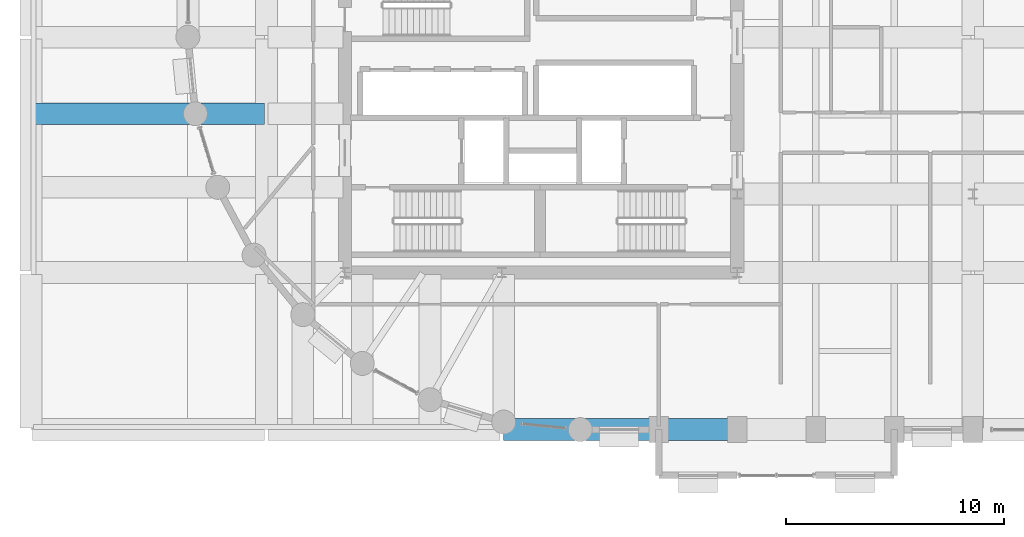
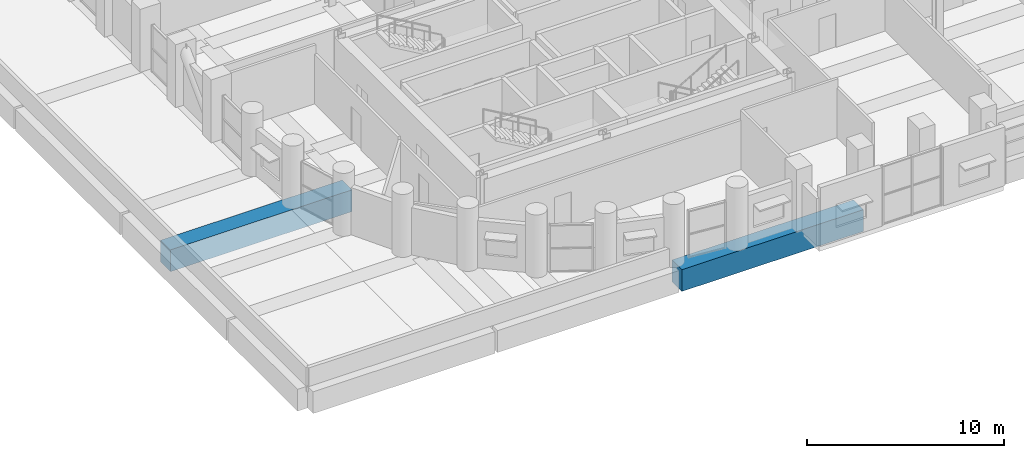
# One storey, part 6 of 39: 2 beams.
"""IFC4 building model written with IfcOpenShell, lengths in metres."""

from ifc_helpers import new_model, si_unit, direction, frame, origin, origin_2d, place, context, subcontext, project, spatial, rectangle, extrude, material, material_profile, profile_set, type_object, element, save


model = new_model("IFC4")

# Units and contexts
model_context = context("Model", 3, precision=1e-05, world=origin(), true_north=direction((0.0, 1.0)))
body_context = subcontext(model_context, "Body", "Model", "MODEL_VIEW")
ifc_project = project(units=[si_unit("LENGTHUNIT", "METRE"), si_unit("AREAUNIT", "SQUARE_METRE"), si_unit("VOLUMEUNIT", "CUBIC_METRE"), si_unit("PLANEANGLEUNIT", "RADIAN"), si_unit("MASSUNIT", "GRAM", prefix="KILO")], contexts=[model_context])

# Site, building, storey
site_placement = place(None, origin())
site = spatial("IfcSite", under=ifc_project, at=site_placement, CompositionType="ELEMENT")
building_placement = place(site_placement, origin())
building = spatial("IfcBuilding", under=site, at=building_placement, Name="Solnavia Interchange Tower", CompositionType="ELEMENT")
storey_placement = place(building_placement, frame((0.0, 0.0, 24.0)))
storey = spatial("IfcBuildingStorey", under=building, at=storey_placement, Name="L05", CompositionType="ELEMENT", Elevation=24.0)

# Beams
ifc_material = material(Name="Concrete C60/75", Category="concrete")
ifc_material_profile = material_profile(ifc_material, rectangle(XDim=1.0, YDim=1.35009765625, at=origin_2d()), Name="RC 1000x1350")
ifc_profile_set = profile_set([ifc_material_profile], Name="Concrete C60/75")
beam_type = type_object("IfcBeamType", Name="Beam-Transfer-RC1000x1350", PredefinedType="BEAM", material=ifc_profile_set)
beam_1_placement = place(storey_placement, frame((21.679931640625, 3.60009765625, -0.675048828125), z_axis=(1.0, 0.0, 0.0), x_axis=(0.0, 1.0, 0.0)))
element("IfcBeam", 1, at=beam_1_placement, inside=storey, type_object=beam_type, Name="TRB-L05-03 South primary transfer girder", PredefinedType="BEAM", context=body_context, shape_type="SweptSolid", body=[
    extrude(rectangle(XDim=1.0, YDim=1.35009765625, at=origin_2d()), origin(), (0.0, 0.0, 1.0), 10.64013671875),
])
beam_2_placement = place(storey_placement, frame((0.080078125, 18.087890625, -0.675048828125), z_axis=(1.0, 0.0, 0.0), x_axis=(0.0, 1.0, 0.0)))
element("IfcBeam", 2, at=beam_2_placement, inside=storey, type_object=beam_type, Name="TRB-L05-74 Drum west transfer girder", PredefinedType="BEAM", context=body_context, shape_type="SweptSolid", body=[
    extrude(rectangle(XDim=1.0, YDim=1.35009765625, at=origin_2d()), origin(), (0.0, 0.0, 1.0), 10.639892578125),
])

save(model, "model.ifc")
